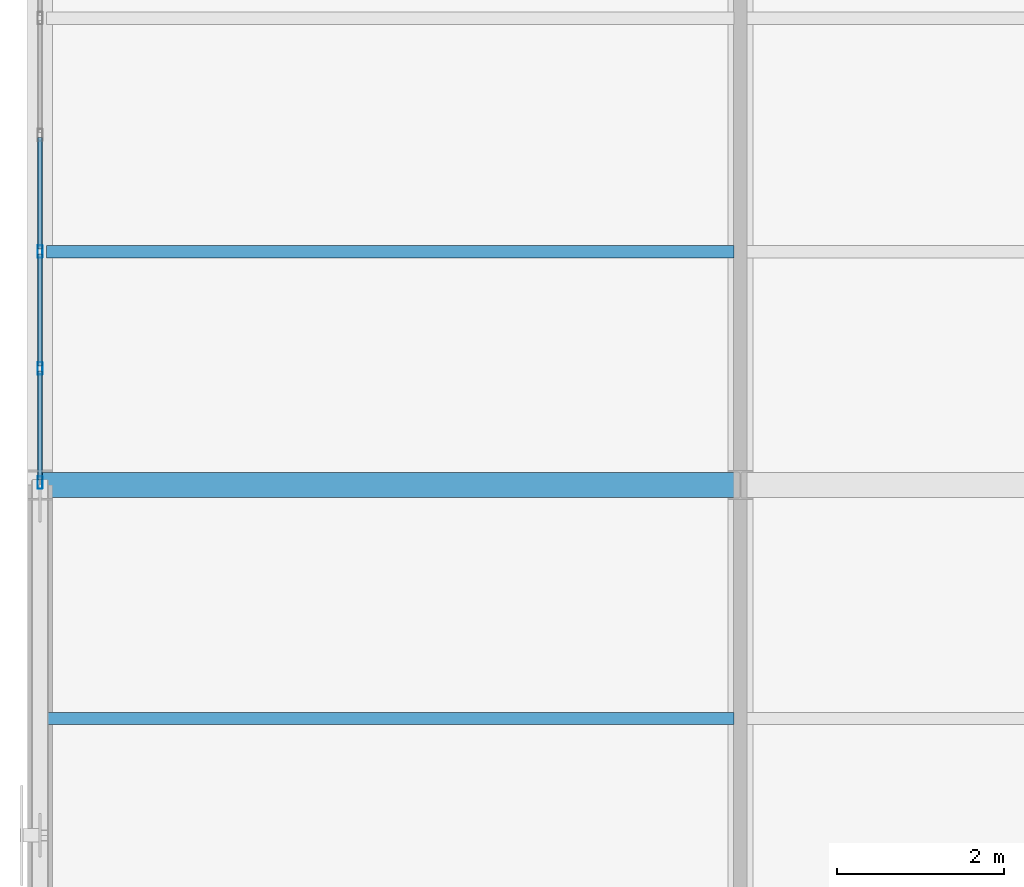
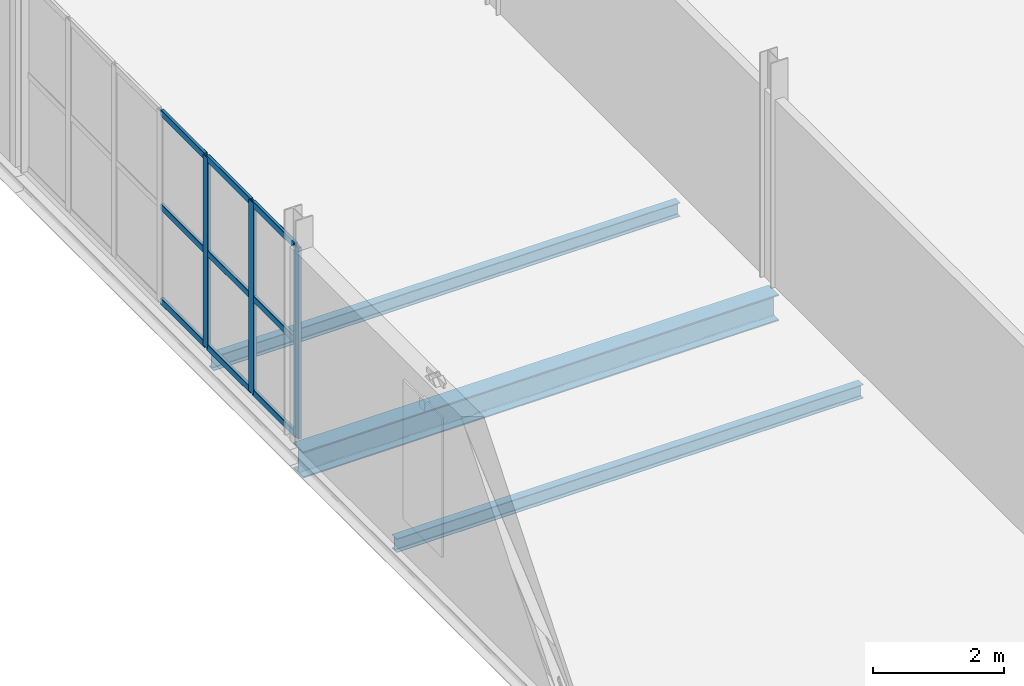
# One storey, part 77 of 163: 12 members, 3 beams, 1 element without a shape of its own.
"""IFC4 building model written with IfcOpenShell, lengths in metres."""

from ifc_helpers import new_model, si_unit, direction, frame, origin, origin_2d, place, context, subcontext, project, spatial, hollow_rectangle, i_section, extrude, material, layer, layer_set, material_profile, profile_set, type_object, element, aggregate, save


model = new_model("IFC4")

# Units and contexts
model_context = context("Model", 3, precision=1e-05, world=origin(), true_north=direction((0.0, 1.0)))
body_context = subcontext(model_context, "Body", "Model", "MODEL_VIEW")
ifc_project = project(units=[si_unit("LENGTHUNIT", "METRE"), si_unit("AREAUNIT", "SQUARE_METRE"), si_unit("VOLUMEUNIT", "CUBIC_METRE"), si_unit("PLANEANGLEUNIT", "RADIAN"), si_unit("MASSUNIT", "GRAM", prefix="KILO")], contexts=[model_context])

# Site, building, storey
site_placement = place(None, origin())
site = spatial("IfcSite", under=ifc_project, at=site_placement, CompositionType="ELEMENT")
building_placement = place(site_placement, origin())
building = spatial("IfcBuilding", under=site, at=building_placement, Name="Qalvenar Corner Mobility Hub", CompositionType="ELEMENT")
storey_placement = place(building_placement, frame((0.0, 0.0, 4.800048828125)))
storey = spatial("IfcBuildingStorey", under=building, at=storey_placement, Name="L01", CompositionType="ELEMENT", Elevation=4.800048828125)

# Beams
ifc_material_1 = material(Name="Steel S355", Category="steel")
ifc_material_profile_1 = material_profile(ifc_material_1, i_section(OverallWidth=0.300048828125, OverallDepth=0.489990234375, WebThickness=0.011962890625, FlangeThickness=0.02294921875, FilletRadius=0.027099609375, at=origin_2d()), Name="HEA500")
ifc_profile_set_1 = profile_set([ifc_material_profile_1], Name="Steel S355")
beam_type_1 = type_object("IfcBeamType", Name="BM-HEA500", PredefinedType="BEAM", material=ifc_profile_set_1)
beam_placement = place(storey_placement, frame((0.0, 75.60009765625, -0.425048828125), z_axis=(1.0, 0.0, 0.0), x_axis=(0.0, 1.0, 0.0)))
element("IfcBeam", 1, at=beam_placement, inside=storey, type_object=beam_type_1, Name="Primary Steel Girder GX-1168", PredefinedType="BEAM", context=body_context, shape_type="SweptSolid", body=[
    extrude(i_section(OverallWidth=0.300048828125, OverallDepth=0.489990234375, WebThickness=0.011962890625, FlangeThickness=0.02294921875, FilletRadius=0.027099609375, at=origin_2d()), origin(), (0.0, 0.0, 1.0), 8.39990234375),
])
ifc_material_profile_2 = material_profile(ifc_material_1, i_section(OverallWidth=0.14599609375, OverallDepth=0.258056640625, WebThickness=0.006103515625, FlangeThickness=0.009033203125, FilletRadius=0.011962890625, at=origin_2d()), Name="W250x32.7")
ifc_profile_set_2 = profile_set([ifc_material_profile_2], Name="Steel S355")
beam_type_2 = type_object("IfcBeamType", Name="BM-JST250", PredefinedType="JOIST", material=ifc_profile_set_2)
for number, where, z_axis, x_axis, name in (
    (2, (0.077880859375, 72.800048828125, -0.30908203125), (1.0, 0.0, 0.0), (0.0, 1.0, 0.0), "Composite Floor Joist J-1217"),
    (3, (0.077880859375, 78.39990234375, -0.30908203125), (1.0, 0.0, 0.0), (0.0, 1.0, 0.0), "Composite Floor Joist J-1218"),
):
    element("IfcBeam", number, at=place(storey_placement, frame(where, z_axis=z_axis, x_axis=x_axis)), inside=storey, type_object=beam_type_2, Name=name, PredefinedType="JOIST", context=body_context, shape_type="SweptSolid", body=[
        extrude(i_section(OverallWidth=0.14599609375, OverallDepth=0.258056640625, WebThickness=0.006103515625, FlangeThickness=0.009033203125, FilletRadius=0.011962890625, at=origin_2d()), origin(), (0.0, 0.0, 1.0), 8.244140625),
    ])

# Curtain wall, members
ifc_material_2 = material(Name="Anodised Aluminium and Low-E Glazing", Category="aluminium")
ifc_layer = layer(ifc_material_2, 0.14990234375)
ifc_layer_set = layer_set([ifc_layer], Name="Anodised Aluminium and Low-E Glazing")
curtain_wall_type = type_object("IfcCurtainWallType", Name="CW-CYC-84X39", PredefinedType="NOTDEFINED", material=ifc_layer_set)
curtain_wall_placement = place(storey_placement, origin())
curtain_wall = element("IfcCurtainWall", 4, at=curtain_wall_placement, inside=storey, type_object=curtain_wall_type, Name="Glazed Curtain Wall CW-V5-L01-W4", PredefinedType="NOTDEFINED")
ifc_material_3 = material(Name="Anodised Aluminium 6063-T6", Category="aluminium")
ifc_material_profile_3 = material_profile(ifc_material_3, hollow_rectangle(XDim=0.06005859375, YDim=0.14990234375, WallThickness=0.00390625, InnerFilletRadius=0.00390625, OuterFilletRadius=0.008056640625, at=origin_2d()), Name="RHS150x60x4")
ifc_profile_set_3 = profile_set([ifc_material_profile_3], Name="Anodised Aluminium 6063-T6")
member_type_1 = type_object("IfcMemberType", Name="CW-MUL150", PredefinedType="MULLION", material=ifc_profile_set_3)
member_1_placement = place(storey_placement, frame((0.0, 78.39990234375, 0.0), z_axis=(0.0, 0.0, 1.0), x_axis=(1.0, 0.0, 0.0)))
member_1 = element("IfcMember", 5, at=member_1_placement, type_object=member_type_1, Name="CW-08 mullion 5", PredefinedType="MULLION", context=body_context, shape_type="SweptSolid", body=[
    extrude(hollow_rectangle(XDim=0.06005859375, YDim=0.14990234375, WallThickness=0.00390625, InnerFilletRadius=0.00390625, OuterFilletRadius=0.008056640625, at=origin_2d()), origin(), (0.0, 0.0, 1.0), 3.570068359375),
])
member_2_placement = place(storey_placement, frame((0.0, 77.0, 0.0), z_axis=(0.0, 0.0, 1.0), x_axis=(1.0, 0.0, 0.0)))
member_2 = element("IfcMember", 6, at=member_2_placement, type_object=member_type_1, Name="CW-08 mullion 6", PredefinedType="MULLION", context=body_context, shape_type="SweptSolid", body=[
    extrude(hollow_rectangle(XDim=0.06005859375, YDim=0.14990234375, WallThickness=0.00390625, InnerFilletRadius=0.00390625, OuterFilletRadius=0.008056640625, at=origin_2d()), origin(), (0.0, 0.0, 1.0), 3.570068359375),
])
member_3_placement = place(storey_placement, frame((0.0, 75.6298828125, 0.0), z_axis=(0.0, 0.0, 1.0), x_axis=(1.0, 0.0, 0.0)))
member_3 = element("IfcMember", 7, at=member_3_placement, type_object=member_type_1, Name="CW-08 mullion 7", PredefinedType="MULLION", context=body_context, shape_type="SweptSolid", body=[
    extrude(hollow_rectangle(XDim=0.06005859375, YDim=0.14990234375, WallThickness=0.00390625, InnerFilletRadius=0.00390625, OuterFilletRadius=0.008056640625, at=origin_2d()), origin(), (0.0, 0.0, 1.0), 3.570068359375),
])
ifc_material_profile_4 = material_profile(ifc_material_3, hollow_rectangle(XDim=0.054931640625, YDim=0.1201171875, WallThickness=0.00341796875, InnerFilletRadius=0.00341796875, OuterFilletRadius=0.007080078125, at=origin_2d()), Name="RHS120x55x3.5")
ifc_profile_set_4 = profile_set([ifc_material_profile_4], Name="Anodised Aluminium 6063-T6")
member_type_2 = type_object("IfcMemberType", Name="CW-TRN120", PredefinedType="USERDEFINED", material=ifc_profile_set_4)
member_4_placement = place(storey_placement, frame((0.0, 79.77001953125, 0.02734375), z_axis=(0.0, -1.0, 0.0), x_axis=(1.0, 0.0, 0.0)))
member_4 = element("IfcMember", 8, at=member_4_placement, type_object=member_type_2, Name="CW-08 transom 4.1", ObjectType="TRANSOM", PredefinedType="USERDEFINED", context=body_context, shape_type="SweptSolid", body=[
    extrude(hollow_rectangle(XDim=0.054931640625, YDim=0.1201171875, WallThickness=0.00341796875, InnerFilletRadius=0.00341796875, OuterFilletRadius=0.007080078125, at=origin_2d()), origin(), (0.0, 0.0, 1.0), 1.340087890625),
])
member_5_placement = place(storey_placement, frame((0.0, 79.77001953125, 1.784912109375), z_axis=(0.0, -1.0, 0.0), x_axis=(1.0, 0.0, 0.0)))
member_5 = element("IfcMember", 9, at=member_5_placement, type_object=member_type_2, Name="CW-08 transom 4.2", ObjectType="TRANSOM", PredefinedType="USERDEFINED", context=body_context, shape_type="SweptSolid", body=[
    extrude(hollow_rectangle(XDim=0.054931640625, YDim=0.1201171875, WallThickness=0.00341796875, InnerFilletRadius=0.00341796875, OuterFilletRadius=0.007080078125, at=origin_2d()), origin(), (0.0, 0.0, 1.0), 1.340087890625),
])
member_6_placement = place(storey_placement, frame((0.0, 79.77001953125, 3.54248046875), z_axis=(0.0, -1.0, 0.0), x_axis=(1.0, 0.0, 0.0)))
member_6 = element("IfcMember", 10, at=member_6_placement, type_object=member_type_2, Name="CW-08 transom 4.3", ObjectType="TRANSOM", PredefinedType="USERDEFINED", context=body_context, shape_type="SweptSolid", body=[
    extrude(hollow_rectangle(XDim=0.054931640625, YDim=0.1201171875, WallThickness=0.00341796875, InnerFilletRadius=0.00341796875, OuterFilletRadius=0.007080078125, at=origin_2d()), origin(), (0.0, 0.0, 1.0), 1.340087890625),
])
member_7_placement = place(storey_placement, frame((0.0, 78.3701171875, 0.02734375), z_axis=(0.0, -1.0, 0.0), x_axis=(1.0, 0.0, 0.0)))
member_7 = element("IfcMember", 11, at=member_7_placement, type_object=member_type_2, Name="CW-08 transom 5.1", ObjectType="TRANSOM", PredefinedType="USERDEFINED", context=body_context, shape_type="SweptSolid", body=[
    extrude(hollow_rectangle(XDim=0.054931640625, YDim=0.1201171875, WallThickness=0.00341796875, InnerFilletRadius=0.00341796875, OuterFilletRadius=0.007080078125, at=origin_2d()), origin(), (0.0, 0.0, 1.0), 1.340087890625),
])
member_8_placement = place(storey_placement, frame((0.0, 78.3701171875, 1.784912109375), z_axis=(0.0, -1.0, 0.0), x_axis=(1.0, 0.0, 0.0)))
member_8 = element("IfcMember", 12, at=member_8_placement, type_object=member_type_2, Name="CW-08 transom 5.2", ObjectType="TRANSOM", PredefinedType="USERDEFINED", context=body_context, shape_type="SweptSolid", body=[
    extrude(hollow_rectangle(XDim=0.054931640625, YDim=0.1201171875, WallThickness=0.00341796875, InnerFilletRadius=0.00341796875, OuterFilletRadius=0.007080078125, at=origin_2d()), origin(), (0.0, 0.0, 1.0), 1.340087890625),
])
member_9_placement = place(storey_placement, frame((0.0, 78.3701171875, 3.54248046875), z_axis=(0.0, -1.0, 0.0), x_axis=(1.0, 0.0, 0.0)))
member_9 = element("IfcMember", 13, at=member_9_placement, type_object=member_type_2, Name="CW-08 transom 5.3", ObjectType="TRANSOM", PredefinedType="USERDEFINED", context=body_context, shape_type="SweptSolid", body=[
    extrude(hollow_rectangle(XDim=0.054931640625, YDim=0.1201171875, WallThickness=0.00341796875, InnerFilletRadius=0.00341796875, OuterFilletRadius=0.007080078125, at=origin_2d()), origin(), (0.0, 0.0, 1.0), 1.340087890625),
])
member_10_placement = place(storey_placement, frame((0.0, 76.969970703125, 0.02734375), z_axis=(0.0, -1.0, 0.0), x_axis=(1.0, 0.0, 0.0)))
member_10 = element("IfcMember", 14, at=member_10_placement, type_object=member_type_2, Name="CW-08 transom 6.1", ObjectType="TRANSOM", PredefinedType="USERDEFINED", context=body_context, shape_type="SweptSolid", body=[
    extrude(hollow_rectangle(XDim=0.054931640625, YDim=0.1201171875, WallThickness=0.00341796875, InnerFilletRadius=0.00341796875, OuterFilletRadius=0.007080078125, at=origin_2d()), origin(), (0.0, 0.0, 1.0), 1.31005859375),
])
member_11_placement = place(storey_placement, frame((0.0, 76.969970703125, 1.784912109375), z_axis=(0.0, -1.0, 0.0), x_axis=(1.0, 0.0, 0.0)))
member_11 = element("IfcMember", 15, at=member_11_placement, type_object=member_type_2, Name="CW-08 transom 6.2", ObjectType="TRANSOM", PredefinedType="USERDEFINED", context=body_context, shape_type="SweptSolid", body=[
    extrude(hollow_rectangle(XDim=0.054931640625, YDim=0.1201171875, WallThickness=0.00341796875, InnerFilletRadius=0.00341796875, OuterFilletRadius=0.007080078125, at=origin_2d()), origin(), (0.0, 0.0, 1.0), 1.31005859375),
])
member_12_placement = place(storey_placement, frame((0.0, 76.969970703125, 3.54248046875), z_axis=(0.0, -1.0, 0.0), x_axis=(1.0, 0.0, 0.0)))
member_12 = element("IfcMember", 16, at=member_12_placement, type_object=member_type_2, Name="CW-08 transom 6.3", ObjectType="TRANSOM", PredefinedType="USERDEFINED", context=body_context, shape_type="SweptSolid", body=[
    extrude(hollow_rectangle(XDim=0.054931640625, YDim=0.1201171875, WallThickness=0.00341796875, InnerFilletRadius=0.00341796875, OuterFilletRadius=0.007080078125, at=origin_2d()), origin(), (0.0, 0.0, 1.0), 1.31005859375),
])
aggregate(curtain_wall, [member_1, member_2, member_3, member_4, member_5, member_6, member_7, member_8, member_9, member_10, member_11, member_12])

save(model, "model.ifc")
